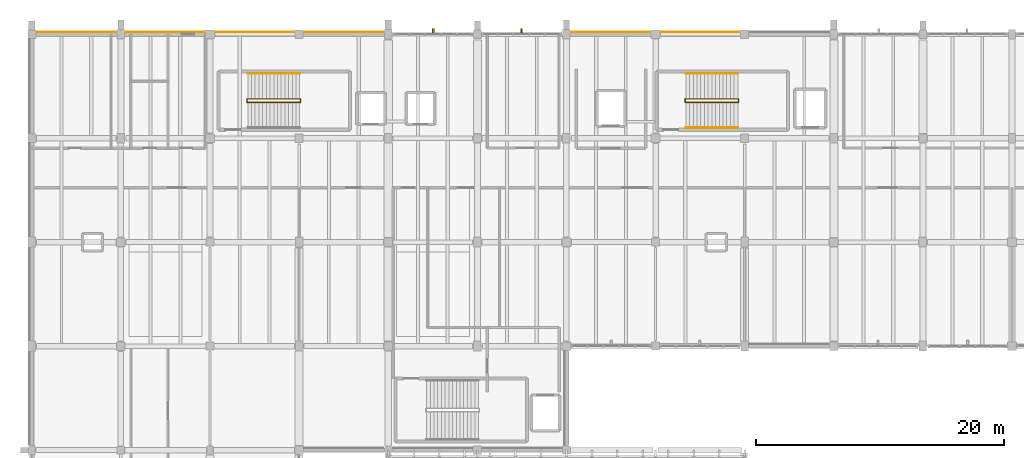
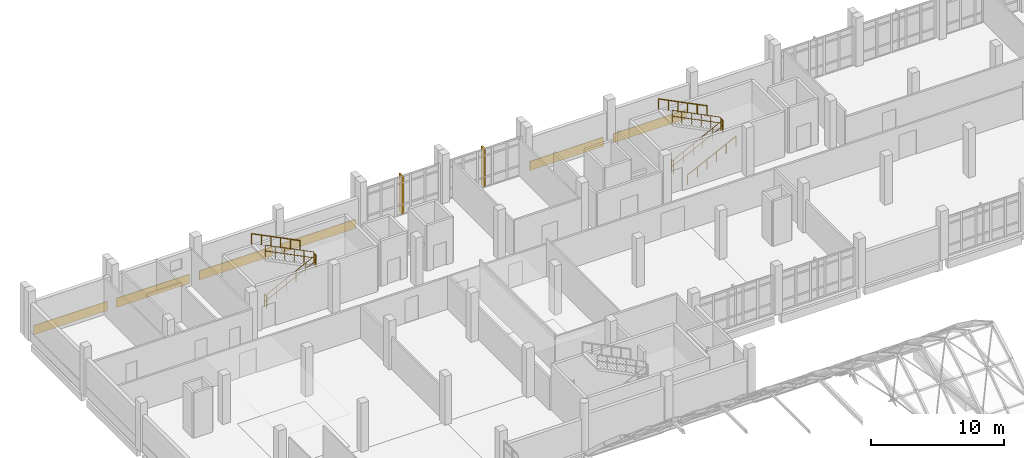
# One storey, part 86 of 87: 11 railings, 6 coverings, 2 shading devices.
"""IFC4 building model written with IfcOpenShell, lengths in metres."""

from ifc_helpers import new_model, si_unit, direction, frame, origin, origin_2d, place, context, subcontext, project, spatial, rectangle, circle, extrude, material, layer, layer_set, type_object, element, save


model = new_model("IFC4")

# Units and contexts
model_context = context("Model", 3, precision=1e-05, world=origin(), true_north=direction((0.0, 1.0)))
body_context = subcontext(model_context, "Body", "Model", "MODEL_VIEW")
ifc_project = project(units=[si_unit("LENGTHUNIT", "METRE"), si_unit("AREAUNIT", "SQUARE_METRE"), si_unit("VOLUMEUNIT", "CUBIC_METRE"), si_unit("PLANEANGLEUNIT", "RADIAN"), si_unit("MASSUNIT", "GRAM", prefix="KILO")], contexts=[model_context])

# Site, building, storey
site_placement = place(None, origin())
site = spatial("IfcSite", under=ifc_project, at=site_placement, CompositionType="ELEMENT")
building_placement = place(site_placement, origin())
building = spatial("IfcBuilding", under=site, at=building_placement, Name="Kalluvel Institute of Natural Sciences", CompositionType="ELEMENT")
storey_placement = place(building_placement, frame((0.0, 0.0, 18.89990234375)))
storey = spatial("IfcBuildingStorey", under=building, at=storey_placement, Name="L04", CompositionType="ELEMENT", Elevation=18.89990234375)

# Coverings
ifc_material_1 = material(Name="Sadarahalli Grey Granite Ashlar Concrete M40", Category="masonry")
ifc_layer = layer(ifc_material_1, 0.044921875)
ifc_layer_set = layer_set([ifc_layer], Name="Sadarahalli Grey Granite Ashlar Concrete M40")
covering_type = type_object("IfcCoveringType", Name="COV-CLAD-STONE", PredefinedType="CLADDING", material=ifc_layer_set)
covering_1_placement = place(storey_placement, frame((17.612548828125, 128.179931640625, 0.025146484375), z_axis=(0.0, 0.0, 1.0), x_axis=(1.0, 0.0, 0.0)))
element("IfcCovering", 1, at=covering_1_placement, inside=storey, type_object=covering_type, Name="L04 Sadarahalli granite plinth spandrel cladding 47", PredefinedType="CLADDING", context=body_context, shape_type="SweptSolid", body=[
    extrude(rectangle(XDim=6.4150390625, YDim=0.044921875, at=origin_2d()), origin(), (0.0, 0.0, 1.0), 0.85009765625),
])
covering_2_placement = place(storey_placement, frame((24.77490234375, 128.179931640625, 0.025146484375), z_axis=(0.0, 0.0, 1.0), x_axis=(1.0, 0.0, 0.0)))
element("IfcCovering", 2, at=covering_2_placement, inside=storey, type_object=covering_type, Name="L04 Sadarahalli granite plinth spandrel cladding 48", PredefinedType="CLADDING", context=body_context, shape_type="SweptSolid", body=[
    extrude(rectangle(XDim=6.389892578125, YDim=0.044921875, at=origin_2d()), origin(), (0.0, 0.0, 1.0), 0.85009765625),
])
covering_3_placement = place(storey_placement, frame((32.012451171875, 128.179931640625, 0.025146484375), z_axis=(0.0, 0.0, 1.0), x_axis=(1.0, 0.0, 0.0)))
element("IfcCovering", 3, at=covering_3_placement, inside=storey, type_object=covering_type, Name="L04 Sadarahalli granite plinth spandrel cladding 49", PredefinedType="CLADDING", context=body_context, shape_type="SweptSolid", body=[
    extrude(rectangle(XDim=6.364990234375, YDim=0.044921875, at=origin_2d()), origin(), (0.0, 0.0, 1.0), 0.85009765625),
])
covering_4_placement = place(storey_placement, frame((39.21240234375, 128.179931640625, 0.025146484375), z_axis=(0.0, 0.0, 1.0), x_axis=(1.0, 0.0, 0.0)))
element("IfcCovering", 4, at=covering_4_placement, inside=storey, type_object=covering_type, Name="L04 Sadarahalli granite plinth spandrel cladding 50", PredefinedType="CLADDING", context=body_context, shape_type="SweptSolid", body=[
    extrude(rectangle(XDim=6.4150390625, YDim=0.044921875, at=origin_2d()), origin(), (0.0, 0.0, 1.0), 0.85009765625),
])
covering_5_placement = place(storey_placement, frame((60.77490234375, 128.179931640625, 0.025146484375), z_axis=(0.0, 0.0, 1.0), x_axis=(1.0, 0.0, 0.0)))
element("IfcCovering", 5, at=covering_5_placement, inside=storey, type_object=covering_type, Name="L04 Sadarahalli granite plinth spandrel cladding 51", PredefinedType="CLADDING", context=body_context, shape_type="SweptSolid", body=[
    extrude(rectangle(XDim=6.389892578125, YDim=0.044921875, at=origin_2d()), origin(), (0.0, 0.0, 1.0), 0.85009765625),
])
covering_6_placement = place(storey_placement, frame((68.012451171875, 128.179931640625, 0.025146484375), z_axis=(0.0, 0.0, 1.0), x_axis=(1.0, 0.0, 0.0)))
element("IfcCovering", 6, at=covering_6_placement, inside=storey, type_object=covering_type, Name="L04 Sadarahalli granite plinth spandrel cladding 52", PredefinedType="CLADDING", context=body_context, shape_type="SweptSolid", body=[
    extrude(rectangle(XDim=6.364990234375, YDim=0.044921875, at=origin_2d()), origin(), (0.0, 0.0, 1.0), 0.85009765625),
])

# Railings
ifc_material_2 = material(Name="Galvanized Fire-Rated Steel", Category="steel")
railing_type_1 = type_object("IfcRailingType", Name="RL-GD-STAIR", PredefinedType="BALUSTRADE", material=ifc_material_2)
railing_1_placement = place(storey_placement, frame((31.449951171875, 122.510009765625, 0.150146484375)))
element("IfcRailing", 7, at=railing_1_placement, inside=storey, type_object=railing_type_1, Name="L04 ST1 stair guard 1", PredefinedType="BALUSTRADE", context=body_context, shape_type="SweptSolid", body=[
    extrude(circle(Radius=0.02392578125, at=origin_2d()), frame((0.0, 0.0, 1.09619140625), z_axis=(0.894437589381, 0.0, 0.447192798132), x_axis=(0.0, 1.0, 0.0)), (0.0, 0.0, 1.0), 4.695556640625),
    extrude(circle(Radius=0.02392578125, at=origin_2d()), frame((0.0, 0.0, 0.56005859375), z_axis=(0.894437589381, 0.0, 0.447192798132), x_axis=(0.0, 1.0, 0.0)), (0.0, 0.0, 1.0), 4.695556640625),
    extrude(circle(Radius=0.02099609375, at=origin_2d()), origin(), (0.0, 0.0, 1.0), 1.072021484375),
    extrude(circle(Radius=0.02099609375, at=origin_2d()), frame((0.840087890625, 0.0, 0.419921875)), (0.0, 0.0, 1.0), 1.072021484375),
    extrude(circle(Radius=0.02099609375, at=origin_2d()), frame((1.679931640625, 0.0, 0.83984375)), (0.0, 0.0, 1.0), 1.072021484375),
    extrude(circle(Radius=0.02099609375, at=origin_2d()), frame((2.52001953125, 0.0, 1.260009765625)), (0.0, 0.0, 1.0), 1.072021484375),
    extrude(circle(Radius=0.02099609375, at=origin_2d()), frame((3.35986328125, 0.0, 1.679931640625)), (0.0, 0.0, 1.0), 1.072021484375),
    extrude(circle(Radius=0.02099609375, at=origin_2d()), frame((4.199951171875, 0.0, 2.099853515625)), (0.0, 0.0, 1.0), 1.072021484375),
])
railing_2_placement = place(storey_placement, frame((35.699951171875, 122.4951171875, 2.25)))
element("IfcRailing", 8, at=railing_2_placement, inside=storey, type_object=railing_type_1, Name="L04 ST1 stair guard 2", PredefinedType="BALUSTRADE", context=body_context, shape_type="SweptSolid", body=[
    extrude(circle(Radius=0.02392578125, at=origin_2d()), frame((0.0, 0.0, 1.09619140625), z_axis=(0.0, 1.0, 0.0), x_axis=(-1.0, 0.0, 0.0)), (0.0, 0.0, 1.0), 0.27978515625),
    extrude(circle(Radius=0.02392578125, at=origin_2d()), frame((0.0, 0.0, 0.56005859375), z_axis=(0.0, 1.0, 0.0), x_axis=(-1.0, 0.0, 0.0)), (0.0, 0.0, 1.0), 0.27978515625),
    extrude(circle(Radius=0.02099609375, at=origin_2d()), origin(), (0.0, 0.0, 1.0), 1.072021484375),
    extrude(circle(Radius=0.02099609375, at=origin_2d()), frame((0.0, 0.27978515625, 0.0)), (0.0, 0.0, 1.0), 1.072021484375),
])
railing_3_placement = place(storey_placement, frame((35.64990234375, 122.760009765625, 2.400146484375)))
element("IfcRailing", 9, at=railing_3_placement, inside=storey, type_object=railing_type_1, Name="L04 ST1 stair guard 3", PredefinedType="BALUSTRADE", context=body_context, shape_type="SweptSolid", body=[
    extrude(circle(Radius=0.02392578125, at=origin_2d()), frame((0.0, 0.0, 1.09619140625), z_axis=(-0.894437589381, 0.0, 0.447192798132), x_axis=(0.0, -1.0, 0.0)), (0.0, 0.0, 1.0), 4.695556640625),
    extrude(circle(Radius=0.02392578125, at=origin_2d()), frame((0.0, 0.0, 0.56005859375), z_axis=(-0.894437589381, 0.0, 0.447192798132), x_axis=(0.0, -1.0, 0.0)), (0.0, 0.0, 1.0), 4.695556640625),
    extrude(circle(Radius=0.02099609375, at=origin_2d()), origin(), (0.0, 0.0, 1.0), 1.072021484375),
    extrude(circle(Radius=0.02099609375, at=origin_2d()), frame((-0.840087890625, 0.0, 0.419921875)), (0.0, 0.0, 1.0), 1.072021484375),
    extrude(circle(Radius=0.02099609375, at=origin_2d()), frame((-1.679931640625, 0.0, 0.83984375)), (0.0, 0.0, 1.0), 1.072021484375),
    extrude(circle(Radius=0.02099609375, at=origin_2d()), frame((-2.52001953125, 0.0, 1.260009765625)), (0.0, 0.0, 1.0), 1.072021484375),
    extrude(circle(Radius=0.02099609375, at=origin_2d()), frame((-3.35986328125, 0.0, 1.679931640625)), (0.0, 0.0, 1.0), 1.072021484375),
    extrude(circle(Radius=0.02099609375, at=origin_2d()), frame((-4.199951171875, 0.0, 2.099853515625)), (0.0, 0.0, 1.0), 1.072021484375),
])
railing_4_placement = place(storey_placement, frame((31.39990234375, 122.4951171875, 0.0)))
element("IfcRailing", 10, at=railing_4_placement, inside=storey, type_object=railing_type_1, Name="L04 ST1 stair guard 4", PredefinedType="BALUSTRADE", context=body_context, shape_type="SweptSolid", body=[
    extrude(circle(Radius=0.02392578125, at=origin_2d()), frame((0.0, 0.0, 1.09619140625), z_axis=(0.0, 1.0, 0.0), x_axis=(-1.0, 0.0, 0.0)), (0.0, 0.0, 1.0), 0.27978515625),
    extrude(circle(Radius=0.02392578125, at=origin_2d()), frame((0.0, 0.0, 0.56005859375), z_axis=(0.0, 1.0, 0.0), x_axis=(-1.0, 0.0, 0.0)), (0.0, 0.0, 1.0), 0.27978515625),
    extrude(circle(Radius=0.02099609375, at=origin_2d()), origin(), (0.0, 0.0, 1.0), 1.072021484375),
    extrude(circle(Radius=0.02099609375, at=origin_2d()), frame((0.0, 0.27978515625, 0.0)), (0.0, 0.0, 1.0), 1.072021484375),
])
railing_5_placement = place(storey_placement, frame((66.85009765625, 122.510009765625, 0.150146484375)))
element("IfcRailing", 11, at=railing_5_placement, inside=storey, type_object=railing_type_1, Name="L04 ST2 stair guard 1", PredefinedType="BALUSTRADE", context=body_context, shape_type="SweptSolid", body=[
    extrude(circle(Radius=0.02392578125, at=origin_2d()), frame((0.0, 0.0, 1.09619140625), z_axis=(0.894437589381, 0.0, 0.447192798132), x_axis=(0.0, 1.0, 0.0)), (0.0, 0.0, 1.0), 4.695556640625),
    extrude(circle(Radius=0.02392578125, at=origin_2d()), frame((0.0, 0.0, 0.56005859375), z_axis=(0.894437589381, 0.0, 0.447192798132), x_axis=(0.0, 1.0, 0.0)), (0.0, 0.0, 1.0), 4.695556640625),
    extrude(circle(Radius=0.02099609375, at=origin_2d()), origin(), (0.0, 0.0, 1.0), 1.072021484375),
    extrude(circle(Radius=0.02099609375, at=origin_2d()), frame((0.840087890625, 0.0, 0.419921875)), (0.0, 0.0, 1.0), 1.072021484375),
    extrude(circle(Radius=0.02099609375, at=origin_2d()), frame((1.679931640625, 0.0, 0.83984375)), (0.0, 0.0, 1.0), 1.072021484375),
    extrude(circle(Radius=0.02099609375, at=origin_2d()), frame((2.52001953125, 0.0, 1.260009765625)), (0.0, 0.0, 1.0), 1.072021484375),
    extrude(circle(Radius=0.02099609375, at=origin_2d()), frame((3.35986328125, 0.0, 1.679931640625)), (0.0, 0.0, 1.0), 1.072021484375),
    extrude(circle(Radius=0.02099609375, at=origin_2d()), frame((4.199951171875, 0.0, 2.099853515625)), (0.0, 0.0, 1.0), 1.072021484375),
])
railing_6_placement = place(storey_placement, frame((71.10009765625, 122.4951171875, 2.25)))
element("IfcRailing", 12, at=railing_6_placement, inside=storey, type_object=railing_type_1, Name="L04 ST2 stair guard 2", PredefinedType="BALUSTRADE", context=body_context, shape_type="SweptSolid", body=[
    extrude(circle(Radius=0.02392578125, at=origin_2d()), frame((0.0, 0.0, 1.09619140625), z_axis=(0.0, 1.0, 0.0), x_axis=(-1.0, 0.0, 0.0)), (0.0, 0.0, 1.0), 0.27978515625),
    extrude(circle(Radius=0.02392578125, at=origin_2d()), frame((0.0, 0.0, 0.56005859375), z_axis=(0.0, 1.0, 0.0), x_axis=(-1.0, 0.0, 0.0)), (0.0, 0.0, 1.0), 0.27978515625),
    extrude(circle(Radius=0.02099609375, at=origin_2d()), origin(), (0.0, 0.0, 1.0), 1.072021484375),
    extrude(circle(Radius=0.02099609375, at=origin_2d()), frame((0.0, 0.27978515625, 0.0)), (0.0, 0.0, 1.0), 1.072021484375),
])
railing_7_placement = place(storey_placement, frame((71.050048828125, 122.760009765625, 2.400146484375)))
element("IfcRailing", 13, at=railing_7_placement, inside=storey, type_object=railing_type_1, Name="L04 ST2 stair guard 3", PredefinedType="BALUSTRADE", context=body_context, shape_type="SweptSolid", body=[
    extrude(circle(Radius=0.02392578125, at=origin_2d()), frame((0.0, 0.0, 1.09619140625), z_axis=(-0.894437589381, 0.0, 0.447192798132), x_axis=(0.0, -1.0, 0.0)), (0.0, 0.0, 1.0), 4.695556640625),
    extrude(circle(Radius=0.02392578125, at=origin_2d()), frame((0.0, 0.0, 0.56005859375), z_axis=(-0.894437589381, 0.0, 0.447192798132), x_axis=(0.0, -1.0, 0.0)), (0.0, 0.0, 1.0), 4.695556640625),
    extrude(circle(Radius=0.02099609375, at=origin_2d()), origin(), (0.0, 0.0, 1.0), 1.072021484375),
    extrude(circle(Radius=0.02099609375, at=origin_2d()), frame((-0.840087890625, 0.0, 0.419921875)), (0.0, 0.0, 1.0), 1.072021484375),
    extrude(circle(Radius=0.02099609375, at=origin_2d()), frame((-1.679931640625, 0.0, 0.83984375)), (0.0, 0.0, 1.0), 1.072021484375),
    extrude(circle(Radius=0.02099609375, at=origin_2d()), frame((-2.52001953125, 0.0, 1.260009765625)), (0.0, 0.0, 1.0), 1.072021484375),
    extrude(circle(Radius=0.02099609375, at=origin_2d()), frame((-3.35986328125, 0.0, 1.679931640625)), (0.0, 0.0, 1.0), 1.072021484375),
    extrude(circle(Radius=0.02099609375, at=origin_2d()), frame((-4.199951171875, 0.0, 2.099853515625)), (0.0, 0.0, 1.0), 1.072021484375),
])
railing_8_placement = place(storey_placement, frame((66.800048828125, 122.4951171875, 0.0)))
element("IfcRailing", 14, at=railing_8_placement, inside=storey, type_object=railing_type_1, Name="L04 ST2 stair guard 4", PredefinedType="BALUSTRADE", context=body_context, shape_type="SweptSolid", body=[
    extrude(circle(Radius=0.02392578125, at=origin_2d()), frame((0.0, 0.0, 1.09619140625), z_axis=(0.0, 1.0, 0.0), x_axis=(-1.0, 0.0, 0.0)), (0.0, 0.0, 1.0), 0.27978515625),
    extrude(circle(Radius=0.02392578125, at=origin_2d()), frame((0.0, 0.0, 0.56005859375), z_axis=(0.0, 1.0, 0.0), x_axis=(-1.0, 0.0, 0.0)), (0.0, 0.0, 1.0), 0.27978515625),
    extrude(circle(Radius=0.02099609375, at=origin_2d()), origin(), (0.0, 0.0, 1.0), 1.072021484375),
    extrude(circle(Radius=0.02099609375, at=origin_2d()), frame((0.0, 0.27978515625, 0.0)), (0.0, 0.0, 1.0), 1.072021484375),
])
railing_type_2 = type_object("IfcRailingType", Name="RL-HR-STAIR", PredefinedType="HANDRAIL", material=ifc_material_2)
railing_9_placement = place(storey_placement, frame((35.64990234375, 124.820068359375, 2.400146484375)))
element("IfcRailing", 15, at=railing_9_placement, inside=storey, type_object=railing_type_2, Name="L04 ST1 stair handrail 2", PredefinedType="HANDRAIL", context=body_context, shape_type="SweptSolid", body=[
    extrude(circle(Radius=0.02392578125, at=origin_2d()), frame((0.0, 0.0, 0.89599609375), z_axis=(-0.894437589381, 0.0, 0.447192798132), x_axis=(0.0, -1.0, 0.0)), (0.0, 0.0, 1.0), 4.695556640625),
    extrude(circle(Radius=0.02099609375, at=origin_2d()), origin(), (0.0, 0.0, 1.0), 0.871826171875),
    extrude(circle(Radius=0.02099609375, at=origin_2d()), frame((-0.840087890625, 0.0, 0.419921875)), (0.0, 0.0, 1.0), 0.871826171875),
    extrude(circle(Radius=0.02099609375, at=origin_2d()), frame((-1.679931640625, 0.0, 0.83984375)), (0.0, 0.0, 1.0), 0.871826171875),
    extrude(circle(Radius=0.02099609375, at=origin_2d()), frame((-2.52001953125, 0.0, 1.260009765625)), (0.0, 0.0, 1.0), 0.871826171875),
    extrude(circle(Radius=0.02099609375, at=origin_2d()), frame((-3.35986328125, 0.0, 1.679931640625)), (0.0, 0.0, 1.0), 0.871826171875),
    extrude(circle(Radius=0.02099609375, at=origin_2d()), frame((-4.199951171875, 0.0, 2.099853515625)), (0.0, 0.0, 1.0), 0.871826171875),
])
railing_10_placement = place(storey_placement, frame((66.85009765625, 120.449951171875, 0.150146484375)))
element("IfcRailing", 16, at=railing_10_placement, inside=storey, type_object=railing_type_2, Name="L04 ST2 stair handrail 1", PredefinedType="HANDRAIL", context=body_context, shape_type="SweptSolid", body=[
    extrude(circle(Radius=0.02392578125, at=origin_2d()), frame((0.0, 0.0, 0.89599609375), z_axis=(0.894437589381, 0.0, 0.447192798132), x_axis=(0.0, 1.0, 0.0)), (0.0, 0.0, 1.0), 4.695556640625),
    extrude(circle(Radius=0.02099609375, at=origin_2d()), origin(), (0.0, 0.0, 1.0), 0.871826171875),
    extrude(circle(Radius=0.02099609375, at=origin_2d()), frame((0.840087890625, 0.0, 0.419921875)), (0.0, 0.0, 1.0), 0.871826171875),
    extrude(circle(Radius=0.02099609375, at=origin_2d()), frame((1.679931640625, 0.0, 0.83984375)), (0.0, 0.0, 1.0), 0.871826171875),
    extrude(circle(Radius=0.02099609375, at=origin_2d()), frame((2.52001953125, 0.0, 1.260009765625)), (0.0, 0.0, 1.0), 0.871826171875),
    extrude(circle(Radius=0.02099609375, at=origin_2d()), frame((3.35986328125, 0.0, 1.679931640625)), (0.0, 0.0, 1.0), 0.871826171875),
    extrude(circle(Radius=0.02099609375, at=origin_2d()), frame((4.199951171875, 0.0, 2.099853515625)), (0.0, 0.0, 1.0), 0.871826171875),
])
railing_11_placement = place(storey_placement, frame((71.050048828125, 124.820068359375, 2.400146484375)))
element("IfcRailing", 17, at=railing_11_placement, inside=storey, type_object=railing_type_2, Name="L04 ST2 stair handrail 2", PredefinedType="HANDRAIL", context=body_context, shape_type="SweptSolid", body=[
    extrude(circle(Radius=0.02392578125, at=origin_2d()), frame((0.0, 0.0, 0.89599609375), z_axis=(-0.894437589381, 0.0, 0.447192798132), x_axis=(0.0, -1.0, 0.0)), (0.0, 0.0, 1.0), 4.695556640625),
    extrude(circle(Radius=0.02099609375, at=origin_2d()), origin(), (0.0, 0.0, 1.0), 0.871826171875),
    extrude(circle(Radius=0.02099609375, at=origin_2d()), frame((-0.840087890625, 0.0, 0.419921875)), (0.0, 0.0, 1.0), 0.871826171875),
    extrude(circle(Radius=0.02099609375, at=origin_2d()), frame((-1.679931640625, 0.0, 0.83984375)), (0.0, 0.0, 1.0), 0.871826171875),
    extrude(circle(Radius=0.02099609375, at=origin_2d()), frame((-2.52001953125, 0.0, 1.260009765625)), (0.0, 0.0, 1.0), 0.871826171875),
    extrude(circle(Radius=0.02099609375, at=origin_2d()), frame((-3.35986328125, 0.0, 1.679931640625)), (0.0, 0.0, 1.0), 0.871826171875),
    extrude(circle(Radius=0.02099609375, at=origin_2d()), frame((-4.199951171875, 0.0, 2.099853515625)), (0.0, 0.0, 1.0), 0.871826171875),
])

# Shading devices
shading_device_type = type_object("IfcShadingDeviceType", Name="SHD-FIN-STONE", PredefinedType="USERDEFINED", material=ifc_material_1)
for number, where, z_axis, x_axis, name in (
    (18, (46.4375, 128.219970703125, 0.0), (0.0, 0.0, 1.0), (1.0, 0.0, 0.0), "L04 monsoon lancet shading fin 45"),
    (19, (53.5625, 128.219970703125, 0.0), (0.0, 0.0, 1.0), (1.0, 0.0, 0.0), "L04 monsoon lancet shading fin 46"),
):
    element("IfcShadingDevice", number, at=place(storey_placement, frame(where, z_axis=z_axis, x_axis=x_axis)), inside=storey, type_object=shading_device_type, Name=name, ObjectType="MONSOON FIN", PredefinedType="USERDEFINED", context=body_context, shape_type="SweptSolid", body=[
        extrude(rectangle(XDim=0.139892578125, YDim=0.47998046875, at=origin_2d()), origin(), (0.0, 0.0, 1.0), 3.530029296875),
    ])

save(model, "model.ifc")
